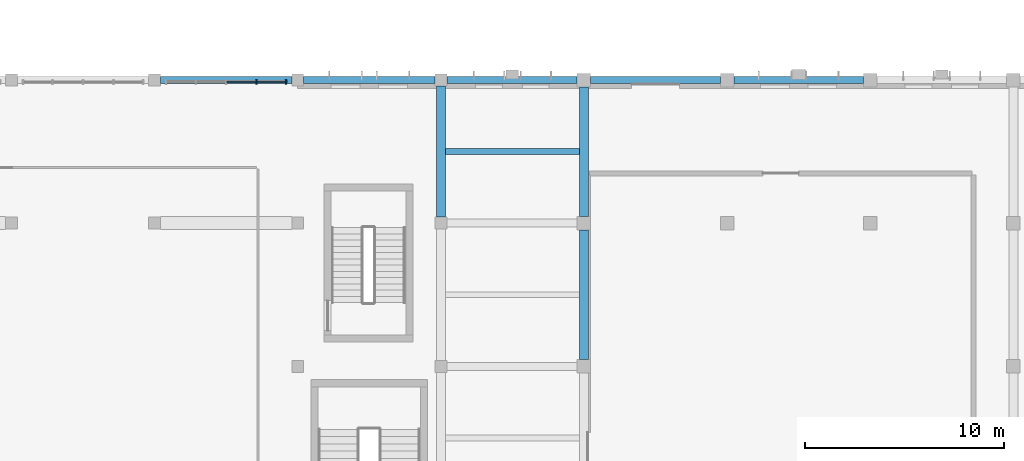
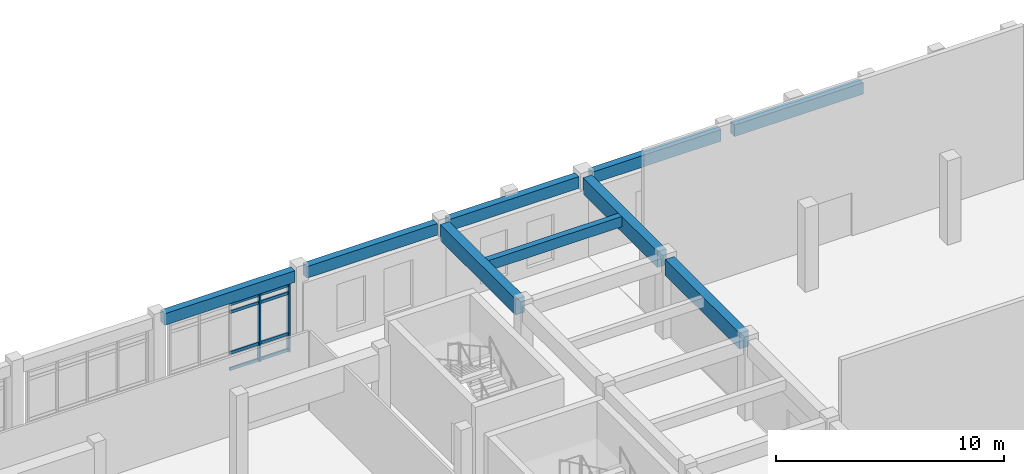
# One storey, part 14 of 43: 10 members, 9 beams, 1 element without a shape of its own.
"""IFC4 building model written with IfcOpenShell, lengths in metres."""

from ifc_helpers import new_model, si_unit, direction, frame, origin, origin_2d, place, context, subcontext, project, spatial, rectangle, extrude, material, material_profile, profile_set, type_object, element, aggregate, save


model = new_model("IFC4")

# Units and contexts
model_context = context("Model", 3, precision=1e-05, world=origin(), true_north=direction((0.0, 1.0)))
body_context = subcontext(model_context, "Body", "Model", "MODEL_VIEW")
ifc_project = project(units=[si_unit("LENGTHUNIT", "METRE"), si_unit("AREAUNIT", "SQUARE_METRE"), si_unit("VOLUMEUNIT", "CUBIC_METRE"), si_unit("PLANEANGLEUNIT", "RADIAN"), si_unit("MASSUNIT", "GRAM", prefix="KILO")], contexts=[model_context])

# Site, building, storey
site_placement = place(None, origin())
site = spatial("IfcSite", under=ifc_project, at=site_placement, CompositionType="ELEMENT")
building_placement = place(site_placement, origin())
building = spatial("IfcBuilding", under=site, at=building_placement, Name="Alvorim Cloister Faculty of Sciences", CompositionType="ELEMENT")
storey_placement = place(building_placement, origin())
storey = spatial("IfcBuildingStorey", under=building, at=storey_placement, Name="L00", CompositionType="ELEMENT", Elevation=0.0)

# Beams
ifc_material_1 = material(Name="Concrete C40", Category="concrete")
ifc_material_profile_1 = material_profile(ifc_material_1, rectangle(XDim=0.300048828125, YDim=0.550048828125, at=origin_2d()), Name="RC40-JST-300x550")
ifc_profile_set_1 = profile_set([ifc_material_profile_1], Name="Concrete C40")
beam_type_1 = type_object("IfcBeamType", Name="BM-JST-RC-300x550", PredefinedType="JOIST", material=ifc_profile_set_1)
beam_1_placement = place(storey_placement, frame((108.22509765625, 25.199951171875, 3.97509765625), z_axis=(1.0, 0.0, 0.0), x_axis=(0.0, 1.0, 0.0)))
element("IfcBeam", 1, at=beam_1_placement, inside=storey, type_object=beam_type_1, Name="L00 Secondary Floor Joist BM-0882", PredefinedType="JOIST", context=body_context, shape_type="SweptSolid", body=[
    extrude(rectangle(XDim=0.300048828125, YDim=0.550048828125, at=origin_2d()), origin(), (0.0, 0.0, 1.0), 6.75),
])
ifc_material_profile_2 = material_profile(ifc_material_1, rectangle(XDim=0.449951171875, YDim=0.85009765625, at=origin_2d()), Name="RC40-BM-450x850")
ifc_profile_set_2 = profile_set([ifc_material_profile_2], Name="Concrete C40")
beam_type_2 = type_object("IfcBeamType", Name="BM-RC-450x850", PredefinedType="BEAM", material=ifc_profile_set_2)
beam_2_placement = place(storey_placement, frame((108.0, 21.89990234375, 3.824951171875), z_axis=(0.0, 1.0, 0.0), x_axis=(-1.0, 0.0, 0.0)))
element("IfcBeam", 2, at=beam_2_placement, inside=storey, type_object=beam_type_2, Name="L00 Primary Girder BM-0801", PredefinedType="BEAM", context=body_context, shape_type="SweptSolid", body=[
    extrude(rectangle(XDim=0.449951171875, YDim=0.85009765625, at=origin_2d()), origin(), (0.0, 0.0, 1.0), 6.60009765625),
])
for number, where, z_axis, x_axis, name in (
    (3, (115.199951171875, 14.739990234375, 3.824951171875), (0.0, 1.0, 0.0), (-1.0, 0.0, 0.0), "L00 Primary Girder BM-0804"),
    (4, (115.199951171875, 21.93994140625, 3.824951171875), (0.0, 1.0, 0.0), (-1.0, 0.0, 0.0), "L00 Primary Girder BM-0805"),
):
    element("IfcBeam", number, at=place(storey_placement, frame(where, z_axis=z_axis, x_axis=x_axis)), inside=storey, type_object=beam_type_2, Name=name, PredefinedType="BEAM", context=body_context, shape_type="SweptSolid", body=[
        extrude(rectangle(XDim=0.449951171875, YDim=0.85009765625, at=origin_2d()), origin(), (0.0, 0.0, 1.0), 6.52001953125),
    ])
ifc_material_profile_3 = material_profile(ifc_material_1, rectangle(XDim=0.35009765625, YDim=0.6201171875, at=origin_2d()), Name="RC40-SPD-350x620")
ifc_profile_set_3 = profile_set([ifc_material_profile_3], Name="Concrete C40")
beam_type_3 = type_object("IfcBeamType", Name="BM-SPD-RC-350x620", PredefinedType="SPANDREL", material=ifc_profile_set_3)
beam_3_placement = place(storey_placement, frame((93.89990234375, 28.800048828125, 3.93994140625), z_axis=(1.0, 0.0, 0.0), x_axis=(0.0, 1.0, 0.0)))
element("IfcBeam", 5, at=beam_3_placement, inside=storey, type_object=beam_type_3, Name="L00 Primary Beam BM-0638", PredefinedType="SPANDREL", context=body_context, shape_type="SweptSolid", body=[
    extrude(rectangle(XDim=0.35009765625, YDim=0.6201171875, at=origin_2d()), origin(), (0.0, 0.0, 1.0), 6.60009765625),
])
beam_4_placement = place(storey_placement, frame((101.10009765625, 28.800048828125, 3.93994140625), z_axis=(1.0, 0.0, 0.0), x_axis=(0.0, 1.0, 0.0)))
element("IfcBeam", 6, at=beam_4_placement, inside=storey, type_object=beam_type_3, Name="L00 Primary Beam BM-0639", PredefinedType="SPANDREL", context=body_context, shape_type="SweptSolid", body=[
    extrude(rectangle(XDim=0.35009765625, YDim=0.6201171875, at=origin_2d()), origin(), (0.0, 0.0, 1.0), 6.599853515625),
])
beam_5_placement = place(storey_placement, frame((108.300048828125, 28.800048828125, 3.93994140625), z_axis=(1.0, 0.0, 0.0), x_axis=(0.0, 1.0, 0.0)))
element("IfcBeam", 7, at=beam_5_placement, inside=storey, type_object=beam_type_3, Name="L00 Primary Beam BM-0640", PredefinedType="SPANDREL", context=body_context, shape_type="SweptSolid", body=[
    extrude(rectangle(XDim=0.35009765625, YDim=0.6201171875, at=origin_2d()), origin(), (0.0, 0.0, 1.0), 6.56005859375),
])
for number, where, z_axis, x_axis, name in (
    (8, (115.5400390625, 28.800048828125, 3.93994140625), (1.0, 0.0, 0.0), (0.0, 1.0, 0.0), "L00 Primary Beam BM-0641"),
    (9, (122.739990234375, 28.800048828125, 3.93994140625), (1.0, 0.0, 0.0), (0.0, 1.0, 0.0), "L00 Primary Beam BM-0642"),
):
    element("IfcBeam", number, at=place(storey_placement, frame(where, z_axis=z_axis, x_axis=x_axis)), inside=storey, type_object=beam_type_3, Name=name, PredefinedType="SPANDREL", context=body_context, shape_type="SweptSolid", body=[
        extrude(rectangle(XDim=0.35009765625, YDim=0.6201171875, at=origin_2d()), origin(), (0.0, 0.0, 1.0), 6.52001953125),
    ])

# Curtain wall, members
ifc_material_2 = material(Name="Aluminium and Low-E Glass Curtain Wall", Category="aluminium")
curtain_wall_type = type_object("IfcCurtainWallType", Name="CW-GLZ-6120x3630", PredefinedType="USERDEFINED", material=ifc_material_2)
curtain_wall_placement = place(storey_placement, origin())
curtain_wall = element("IfcCurtainWall", 10, at=curtain_wall_placement, inside=storey, type_object=curtain_wall_type, Name="L00 Entrance and Atrium Glazed Curtain Wall CW-0006", ObjectType="UNITISED CURTAIN WALL", PredefinedType="USERDEFINED")
ifc_material_3 = material(Name="Aluminium Alloy 6063-T6", Category="aluminium")
ifc_material_profile_4 = material_profile(ifc_material_3, rectangle(XDim=0.074951171875, YDim=0.219970703125, at=origin_2d()), Name="ALU-MUL-75x220")
ifc_profile_set_4 = profile_set([ifc_material_profile_4], Name="Aluminium Alloy 6063-T6")
member_type_1 = type_object("IfcMemberType", Name="CW-MUL-75x220", PredefinedType="MULLION", material=ifc_profile_set_4)
member_1_placement = place(storey_placement, frame((98.72998046875, 28.7099609375, 0.0), z_axis=(0.0, 0.0, 1.0), x_axis=(1.0, 0.0, 0.0)))
member_1 = element("IfcMember", 11, at=member_1_placement, type_object=member_type_1, Name="CW-01 mullion 4", PredefinedType="MULLION", context=body_context, shape_type="SweptSolid", body=[
    extrude(rectangle(XDim=0.074951171875, YDim=0.219970703125, at=origin_2d()), origin(), (0.0, 0.0, 1.0), 3.6298828125),
])
member_2_placement = place(storey_placement, frame((100.222412109375, 28.7099609375, 0.0), z_axis=(0.0, 0.0, 1.0), x_axis=(1.0, 0.0, 0.0)))
member_2 = element("IfcMember", 12, at=member_2_placement, type_object=member_type_1, Name="CW-01 mullion 5", PredefinedType="MULLION", context=body_context, shape_type="SweptSolid", body=[
    extrude(rectangle(XDim=0.074951171875, YDim=0.219970703125, at=origin_2d()), origin(), (0.0, 0.0, 1.0), 3.6298828125),
])
ifc_material_profile_5 = material_profile(ifc_material_3, rectangle(XDim=0.074951171875, YDim=0.159912109375, at=origin_2d()), Name="ALU-TRN-75x160")
ifc_profile_set_5 = profile_set([ifc_material_profile_5], Name="Aluminium Alloy 6063-T6")
member_type_2 = type_object("IfcMemberType", Name="CW-TRN-75x160", PredefinedType="USERDEFINED", material=ifc_profile_set_5)
member_3_placement = place(storey_placement, frame((97.237548828125, 28.7099609375, 0.080078125), z_axis=(1.0, 0.0, 0.0), x_axis=(0.0, 1.0, 0.0)))
member_3 = element("IfcMember", 13, at=member_3_placement, type_object=member_type_2, Name="CW-01 transom 3.1", ObjectType="TRANSOM", PredefinedType="USERDEFINED", context=body_context, shape_type="SweptSolid", body=[
    extrude(rectangle(XDim=0.074951171875, YDim=0.159912109375, at=origin_2d()), origin(), (0.0, 0.0, 1.0), 1.454833984375),
])
member_4_placement = place(storey_placement, frame((97.237548828125, 28.7099609375, 0.949951171875), z_axis=(1.0, 0.0, 0.0), x_axis=(0.0, 1.0, 0.0)))
member_4 = element("IfcMember", 14, at=member_4_placement, type_object=member_type_2, Name="CW-01 transom 3.2", ObjectType="TRANSOM", PredefinedType="USERDEFINED", context=body_context, shape_type="SweptSolid", body=[
    extrude(rectangle(XDim=0.074951171875, YDim=0.159912109375, at=origin_2d()), origin(), (0.0, 0.0, 1.0), 1.454833984375),
])
member_5_placement = place(storey_placement, frame((97.237548828125, 28.7099609375, 3.1298828125), z_axis=(1.0, 0.0, 0.0), x_axis=(0.0, 1.0, 0.0)))
member_5 = element("IfcMember", 15, at=member_5_placement, type_object=member_type_2, Name="CW-01 transom 3.3", ObjectType="TRANSOM", PredefinedType="USERDEFINED", context=body_context, shape_type="SweptSolid", body=[
    extrude(rectangle(XDim=0.074951171875, YDim=0.159912109375, at=origin_2d()), origin(), (0.0, 0.0, 1.0), 1.454833984375),
])
member_6_placement = place(storey_placement, frame((97.237548828125, 28.7099609375, 3.550048828125), z_axis=(1.0, 0.0, 0.0), x_axis=(0.0, 1.0, 0.0)))
member_6 = element("IfcMember", 16, at=member_6_placement, type_object=member_type_2, Name="CW-01 transom 3.4", ObjectType="TRANSOM", PredefinedType="USERDEFINED", context=body_context, shape_type="SweptSolid", body=[
    extrude(rectangle(XDim=0.074951171875, YDim=0.159912109375, at=origin_2d()), origin(), (0.0, 0.0, 1.0), 1.454833984375),
])
member_7_placement = place(storey_placement, frame((98.767578125, 28.7099609375, 0.080078125), z_axis=(1.0, 0.0, 0.0), x_axis=(0.0, 1.0, 0.0)))
member_7 = element("IfcMember", 17, at=member_7_placement, type_object=member_type_2, Name="CW-01 transom 4.1", ObjectType="TRANSOM", PredefinedType="USERDEFINED", context=body_context, shape_type="SweptSolid", body=[
    extrude(rectangle(XDim=0.074951171875, YDim=0.159912109375, at=origin_2d()), origin(), (0.0, 0.0, 1.0), 1.41748046875),
])
member_8_placement = place(storey_placement, frame((98.767578125, 28.7099609375, 0.949951171875), z_axis=(1.0, 0.0, 0.0), x_axis=(0.0, 1.0, 0.0)))
member_8 = element("IfcMember", 18, at=member_8_placement, type_object=member_type_2, Name="CW-01 transom 4.2", ObjectType="TRANSOM", PredefinedType="USERDEFINED", context=body_context, shape_type="SweptSolid", body=[
    extrude(rectangle(XDim=0.074951171875, YDim=0.159912109375, at=origin_2d()), origin(), (0.0, 0.0, 1.0), 1.41748046875),
])
member_9_placement = place(storey_placement, frame((98.767578125, 28.7099609375, 3.1298828125), z_axis=(1.0, 0.0, 0.0), x_axis=(0.0, 1.0, 0.0)))
member_9 = element("IfcMember", 19, at=member_9_placement, type_object=member_type_2, Name="CW-01 transom 4.3", ObjectType="TRANSOM", PredefinedType="USERDEFINED", context=body_context, shape_type="SweptSolid", body=[
    extrude(rectangle(XDim=0.074951171875, YDim=0.159912109375, at=origin_2d()), origin(), (0.0, 0.0, 1.0), 1.41748046875),
])
member_10_placement = place(storey_placement, frame((98.767578125, 28.7099609375, 3.550048828125), z_axis=(1.0, 0.0, 0.0), x_axis=(0.0, 1.0, 0.0)))
member_10 = element("IfcMember", 20, at=member_10_placement, type_object=member_type_2, Name="CW-01 transom 4.4", ObjectType="TRANSOM", PredefinedType="USERDEFINED", context=body_context, shape_type="SweptSolid", body=[
    extrude(rectangle(XDim=0.074951171875, YDim=0.159912109375, at=origin_2d()), origin(), (0.0, 0.0, 1.0), 1.41748046875),
])
aggregate(curtain_wall, [member_1, member_2, member_3, member_4, member_5, member_6, member_7, member_8, member_9, member_10])

save(model, "model.ifc")
